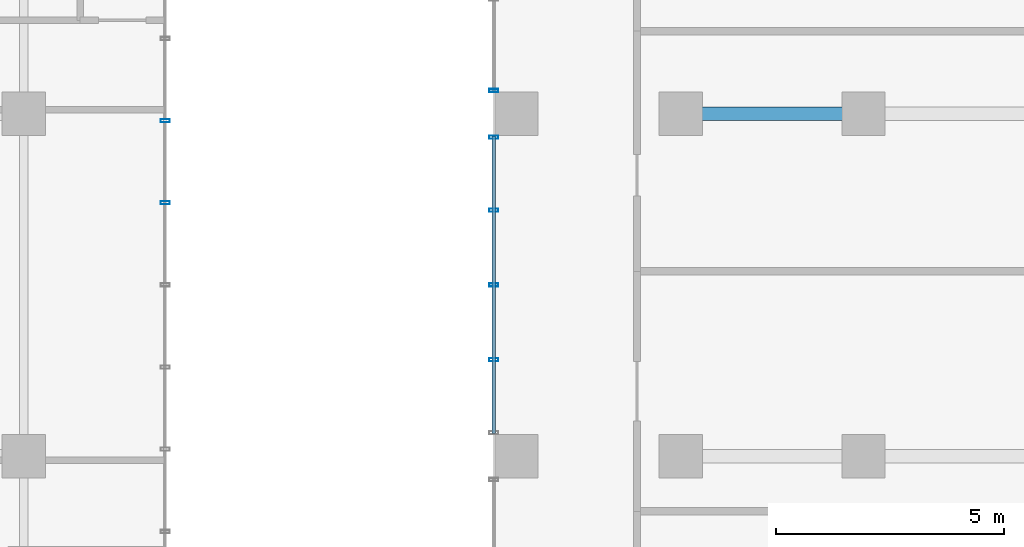
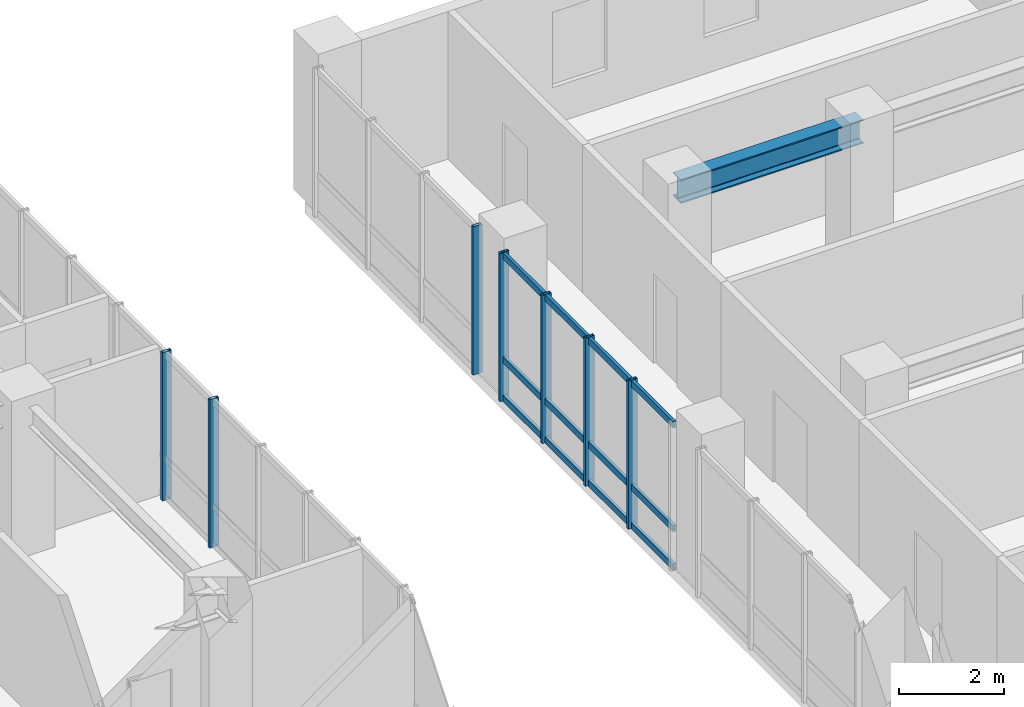
# One storey, part 12 of 24: 10 members, 1 beam, 3 elements without a shape of their own.
"""IFC4 building model written with IfcOpenShell, lengths in metres."""

from ifc_helpers import new_model, si_unit, direction, frame, origin, origin_2d, place, context, subcontext, project, spatial, hollow_rectangle, i_section, extrude, source, transform, mapped, material, layer, layer_set, material_profile, profile_set, type_object, element, aggregate, save


model = new_model("IFC4")

# Units and contexts
model_context = context("Model", 3, precision=1e-05, world=origin(), true_north=direction((0.0, 1.0)))
body_context = subcontext(model_context, "Body", "Model", "MODEL_VIEW")
ifc_project = project(units=[si_unit("LENGTHUNIT", "METRE"), si_unit("AREAUNIT", "SQUARE_METRE"), si_unit("VOLUMEUNIT", "CUBIC_METRE"), si_unit("PLANEANGLEUNIT", "RADIAN"), si_unit("MASSUNIT", "GRAM", prefix="KILO")], contexts=[model_context])

# Site, building, storey
site_placement = place(None, origin())
site = spatial("IfcSite", under=ifc_project, at=site_placement, CompositionType="ELEMENT")
building_placement = place(site_placement, origin())
building = spatial("IfcBuilding", under=site, at=building_placement, Name="Kaliganga Portal Commons", CompositionType="ELEMENT")
storey_placement = place(building_placement, frame((0.0, 0.0, 235.10009765625)))
storey = spatial("IfcBuildingStorey", under=building, at=storey_placement, Name="L60", CompositionType="ELEMENT", Elevation=235.10009765625)

# Beam
ifc_material_1 = material(Name="Structural steel S355J2", Category="steel")
ifc_material_profile_1 = material_profile(ifc_material_1, i_section(OverallWidth=0.300048828125, OverallDepth=0.550048828125, WebThickness=0.014892578125, FlangeThickness=0.029052734375, FilletRadius=0.027099609375, at=origin_2d()), Name="HE 550 B")
ifc_profile_set_1 = profile_set([ifc_material_profile_1], Name="Structural steel S355J2 wide-flange")
beam_type = type_object("IfcBeamType", Name="BM-GIRD-550", PredefinedType="USERDEFINED", material=ifc_profile_set_1)
shared_shape_1 = source(origin(), body_context, "Body", "SweptSolid", [
    extrude(i_section(OverallWidth=0.300048828125, OverallDepth=0.550048828125, WebThickness=0.014892578125, FlangeThickness=0.029052734375, FilletRadius=0.027099609375, at=origin_2d()), origin(), (0.0, 0.0, 1.0), 4.0),
])
beam_placement = place(storey_placement, frame((50.39990234375, 36.14990234375, 3.164794921875), z_axis=(1.0, 0.0, 0.0), x_axis=(0.0, 1.0, 0.0)))
element("IfcBeam", 1, at=beam_placement, inside=storey, type_object=beam_type, Name="BM G L60 BKE362 1", ObjectType="GIRDER", PredefinedType="USERDEFINED", context=body_context, shape_type="MappedRepresentation", body=[
    mapped(shared_shape_1, transform((0.0, 0.0, 0.0), x_axis=(1.0, 0.0, 0.0), y_axis=(0.0, 1.0, 0.0), z_axis=(0.0, 0.0, 1.0), scale=1.0)),
])

# Curtain wall, members
ifc_material_2 = material(Name="Anodized Aluminium and Laminated Low-E Glass", Category="aluminium")
ifc_layer = layer(ifc_material_2, 0.239990234375)
ifc_layer_set = layer_set([ifc_layer], Name="Anodized Aluminium and Laminated Low-E Glass")
curtain_wall_type = type_object("IfcCurtainWallType", Name="CW-SYS-04", PredefinedType="NOTDEFINED", material=ifc_layer_set)
curtain_wall_1_placement = place(storey_placement, origin())
curtain_wall_1 = element("IfcCurtainWall", 2, at=curtain_wall_1_placement, inside=storey, type_object=curtain_wall_type, Name="CW 04 L60 P1E01S1", PredefinedType="NOTDEFINED")
ifc_material_3 = material(Name="Dark Bronze Anodized Aluminium", Category="aluminium")
ifc_material_profile_2 = material_profile(ifc_material_3, hollow_rectangle(XDim=0.070068359375, YDim=0.199951171875, WallThickness=0.00390625, at=origin_2d()), Name="ALU MULL 70x200x4")
ifc_profile_set_2 = profile_set([ifc_material_profile_2], Name="Dark Bronze Anodized Aluminium")
member_type_1 = type_object("IfcMemberType", Name="CW-MUL-220", PredefinedType="MULLION", material=ifc_profile_set_2)
shared_shape_2 = source(origin(), body_context, "Body", "SweptSolid", [
    extrude(hollow_rectangle(XDim=0.070068359375, YDim=0.199951171875, WallThickness=0.00390625, at=origin_2d()), origin(), (0.0, 0.0, 1.0), 3.43994140625),
])
member_1_placement = place(storey_placement, frame((39.10009765625, 34.199951171875, 0.0), z_axis=(0.0, 0.0, 1.0), x_axis=(0.0, 1.0, 0.0)))
member_1 = element("IfcMember", 3, at=member_1_placement, type_object=member_type_1, Name="CW:04:L60:P1E01S1 Mullion 07", PredefinedType="MULLION", context=body_context, shape_type="MappedRepresentation", body=[
    mapped(shared_shape_2, transform((0.0, 0.0, 0.0), x_axis=(1.0, 0.0, 0.0), y_axis=(0.0, 1.0, 0.0), z_axis=(0.0, 0.0, 1.0), scale=1.0)),
])
member_2_placement = place(storey_placement, frame((39.10009765625, 36.0, 0.0), z_axis=(0.0, 0.0, 1.0), x_axis=(0.0, 1.0, 0.0)))
member_2 = element("IfcMember", 4, at=member_2_placement, type_object=member_type_1, Name="CW:04:L60:P1E01S1 Mullion 08", PredefinedType="MULLION", context=body_context, shape_type="MappedRepresentation", body=[
    mapped(shared_shape_2, transform((0.0, 0.0, 0.0), x_axis=(1.0, 0.0, 0.0), y_axis=(0.0, 1.0, 0.0), z_axis=(0.0, 0.0, 1.0), scale=1.0)),
])
aggregate(curtain_wall_1, [member_1, member_2])

# Curtain wall, member
curtain_wall_2_placement = place(storey_placement, origin())
curtain_wall_2 = element("IfcCurtainWall", 5, at=curtain_wall_2_placement, inside=storey, type_object=curtain_wall_type, Name="CW 04 L60 P2E03S1", PredefinedType="NOTDEFINED")
member_3_placement = place(storey_placement, frame((46.300048828125, 36.660888671875, 0.0), z_axis=(0.0, 0.0, 1.0), x_axis=(0.0, -1.0, 0.0)))
member_3 = element("IfcMember", 6, at=member_3_placement, type_object=member_type_1, Name="CW:04:L60:P2E03S1 Mullion 03", PredefinedType="MULLION", context=body_context, shape_type="MappedRepresentation", body=[
    mapped(shared_shape_2, transform((0.0, 0.0, 0.0), x_axis=(1.0, 0.0, 0.0), y_axis=(0.0, 1.0, 0.0), z_axis=(0.0, 0.0, 1.0), scale=1.0)),
])
aggregate(curtain_wall_2, [member_3])

# Curtain wall, members
curtain_wall_3_placement = place(storey_placement, origin())
curtain_wall_3 = element("IfcCurtainWall", 7, at=curtain_wall_3_placement, inside=storey, type_object=curtain_wall_type, Name="CW 04 L60 P2E03S2", PredefinedType="NOTDEFINED")
member_4_placement = place(storey_placement, frame((46.300048828125, 35.638916015625, 0.0), z_axis=(0.0, 0.0, 1.0), x_axis=(0.0, -1.0, 0.0)))
member_4 = element("IfcMember", 8, at=member_4_placement, type_object=member_type_1, Name="CW:04:L60:P2E03S2 Mullion 00", PredefinedType="MULLION", context=body_context, shape_type="MappedRepresentation", body=[
    mapped(shared_shape_2, transform((0.0, 0.0, 0.0), x_axis=(1.0, 0.0, 0.0), y_axis=(0.0, 1.0, 0.0), z_axis=(0.0, 0.0, 1.0), scale=1.0)),
])
member_5_placement = place(storey_placement, frame((46.300048828125, 34.037109375, 0.0), z_axis=(0.0, 0.0, 1.0), x_axis=(0.0, -1.0, 0.0)))
member_5 = element("IfcMember", 9, at=member_5_placement, type_object=member_type_1, Name="CW:04:L60:P2E03S2 Mullion 01", PredefinedType="MULLION", context=body_context, shape_type="MappedRepresentation", body=[
    mapped(shared_shape_2, transform((0.0, 0.0, 0.0), x_axis=(1.0, 0.0, 0.0), y_axis=(0.0, 1.0, 0.0), z_axis=(0.0, 0.0, 1.0), scale=1.0)),
])
member_6_placement = place(storey_placement, frame((46.300048828125, 32.39990234375, 0.0), z_axis=(0.0, 0.0, 1.0), x_axis=(0.0, -1.0, 0.0)))
member_6 = element("IfcMember", 10, at=member_6_placement, type_object=member_type_1, Name="CW:04:L60:P2E03S2 Mullion 02", PredefinedType="MULLION", context=body_context, shape_type="MappedRepresentation", body=[
    mapped(shared_shape_2, transform((0.0, 0.0, 0.0), x_axis=(1.0, 0.0, 0.0), y_axis=(0.0, 1.0, 0.0), z_axis=(0.0, 0.0, 1.0), scale=1.0)),
])
member_7_placement = place(storey_placement, frame((46.300048828125, 30.762939453125, 0.0), z_axis=(0.0, 0.0, 1.0), x_axis=(0.0, -1.0, 0.0)))
member_7 = element("IfcMember", 11, at=member_7_placement, type_object=member_type_1, Name="CW:04:L60:P2E03S2 Mullion 03", PredefinedType="MULLION", context=body_context, shape_type="MappedRepresentation", body=[
    mapped(shared_shape_2, transform((0.0, 0.0, 0.0), x_axis=(1.0, 0.0, 0.0), y_axis=(0.0, 1.0, 0.0), z_axis=(0.0, 0.0, 1.0), scale=1.0)),
])
ifc_material_profile_3 = material_profile(ifc_material_3, hollow_rectangle(XDim=0.070068359375, YDim=0.14990234375, WallThickness=0.00341796875, at=origin_2d()), Name="ALU TRAN 70x150x3.5")
ifc_profile_set_3 = profile_set([ifc_material_profile_3], Name="Dark Bronze Anodized Aluminium")
member_type_2 = type_object("IfcMemberType", Name="CW-TRN-150", PredefinedType="USERDEFINED", material=ifc_profile_set_3)
shared_shape_3 = source(origin(), body_context, "Body", "SweptSolid", [
    extrude(hollow_rectangle(XDim=0.070068359375, YDim=0.14990234375, WallThickness=0.00341796875, at=origin_2d()), origin(), (0.0, 0.0, 1.0), 6.508056640625),
])
member_8_placement = place(storey_placement, frame((46.300048828125, 35.654052734375, 0.059814453125), z_axis=(0.0, -1.0, 0.0), x_axis=(1.0, 0.0, 0.0)))
member_8 = element("IfcMember", 12, at=member_8_placement, type_object=member_type_2, Name="CW:04:L60:P2E03S2 Transom 1", ObjectType="TRANSOM", PredefinedType="USERDEFINED", context=body_context, shape_type="MappedRepresentation", body=[
    mapped(shared_shape_3, transform((0.0, 0.0, 0.0), x_axis=(1.0, 0.0, 0.0), y_axis=(0.0, 1.0, 0.0), z_axis=(0.0, 0.0, 1.0), scale=1.0)),
])
member_9_placement = place(storey_placement, frame((46.300048828125, 35.654052734375, 0.949951171875), z_axis=(0.0, -1.0, 0.0), x_axis=(1.0, 0.0, 0.0)))
member_9 = element("IfcMember", 13, at=member_9_placement, type_object=member_type_2, Name="CW:04:L60:P2E03S2 Transom 2", ObjectType="TRANSOM", PredefinedType="USERDEFINED", context=body_context, shape_type="MappedRepresentation", body=[
    mapped(shared_shape_3, transform((0.0, 0.0, 0.0), x_axis=(1.0, 0.0, 0.0), y_axis=(0.0, 1.0, 0.0), z_axis=(0.0, 0.0, 1.0), scale=1.0)),
])
member_10_placement = place(storey_placement, frame((46.300048828125, 35.654052734375, 3.35986328125), z_axis=(0.0, -1.0, 0.0), x_axis=(1.0, 0.0, 0.0)))
member_10 = element("IfcMember", 14, at=member_10_placement, type_object=member_type_2, Name="CW:04:L60:P2E03S2 Transom 3", ObjectType="TRANSOM", PredefinedType="USERDEFINED", context=body_context, shape_type="MappedRepresentation", body=[
    mapped(shared_shape_3, transform((0.0, 0.0, 0.0), x_axis=(1.0, 0.0, 0.0), y_axis=(0.0, 1.0, 0.0), z_axis=(0.0, 0.0, 1.0), scale=1.0)),
])
aggregate(curtain_wall_3, [member_4, member_5, member_6, member_7, member_8, member_9, member_10])

save(model, "model.ifc")
